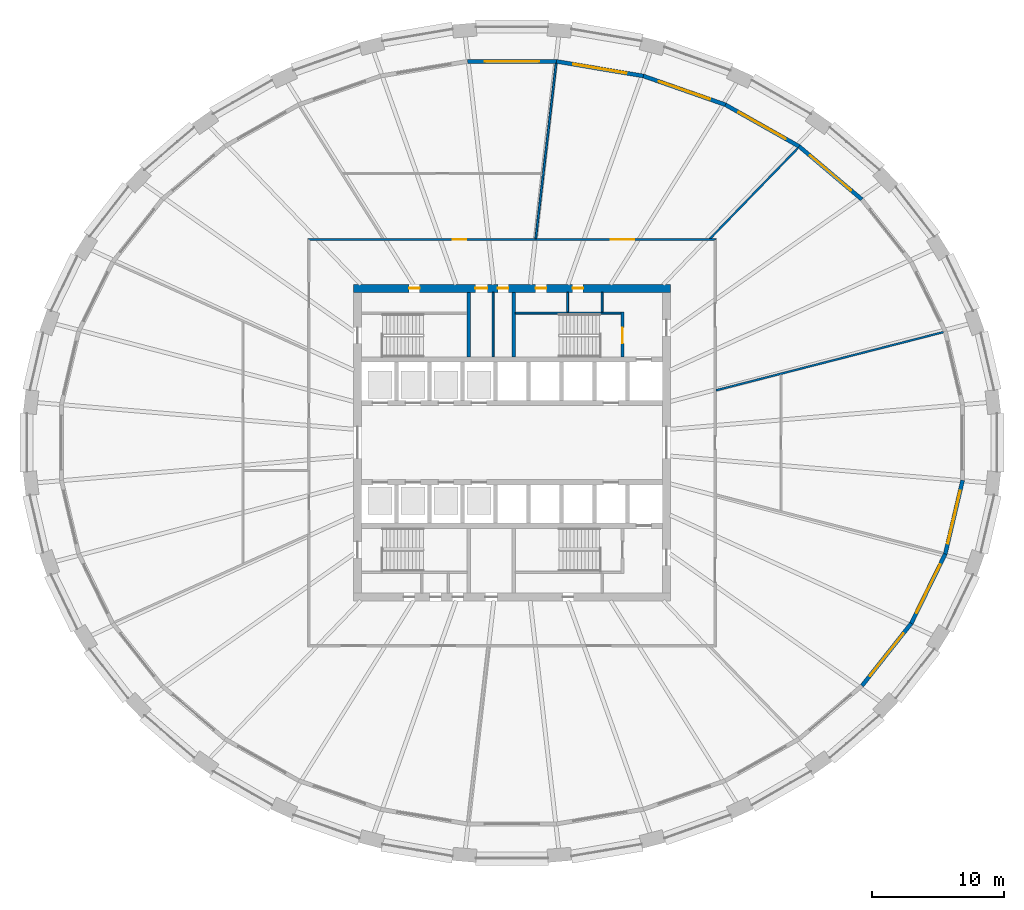
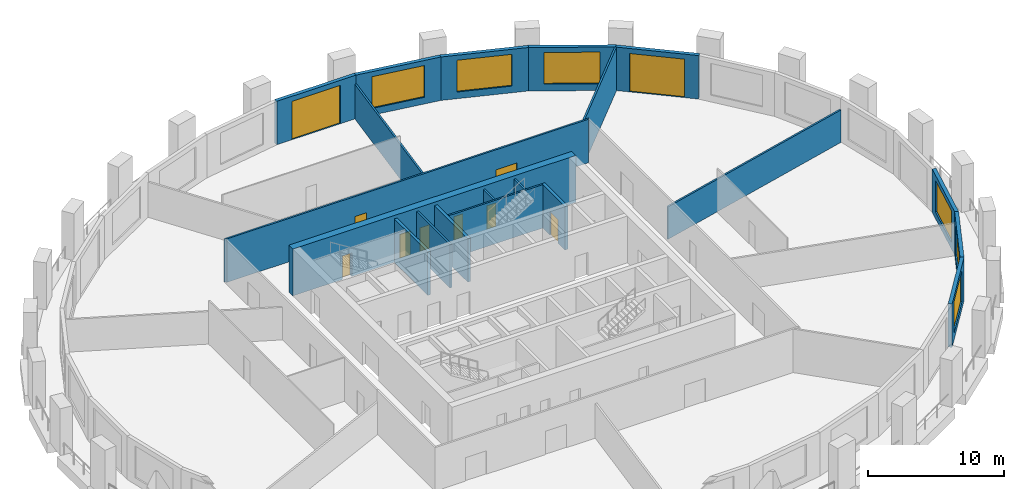
# One storey, part 6 of 10: 20 walls, 10 doors, 6 windows, 16 openings.
"""IFC4 building model written with IfcOpenShell, lengths in metres."""

from ifc_helpers import new_model, si_unit, direction, frame, frame_2d, origin, place, context, subcontext, project, spatial, polyline, rectangle, outline, extrude, material, layer, layer_set, type_object, element, fill, save


model = new_model("IFC4")

# Units and contexts
model_context = context("Model", 3, precision=1e-05, world=origin(), true_north=direction((0.0, 1.0)))
body_context = subcontext(model_context, "Body", "Model", "MODEL_VIEW")
ifc_project = project(units=[si_unit("LENGTHUNIT", "METRE"), si_unit("AREAUNIT", "SQUARE_METRE"), si_unit("VOLUMEUNIT", "CUBIC_METRE"), si_unit("PLANEANGLEUNIT", "RADIAN"), si_unit("MASSUNIT", "GRAM", prefix="KILO")], contexts=[model_context])

# Site, building, storey
site_placement = place(None, origin())
site = spatial("IfcSite", under=ifc_project, at=site_placement, CompositionType="ELEMENT")
building_placement = place(site_placement, origin())
building = spatial("IfcBuilding", under=site, at=building_placement, Name="Halqa Exchange Tower", CompositionType="ELEMENT")
storey_placement = place(building_placement, frame((0.0, 0.0, 69.699951171875)))
storey = spatial("IfcBuildingStorey", under=building, at=storey_placement, Name="L15", CompositionType="ELEMENT", Elevation=69.699951171875)

# Wall, openings, doors
ifc_material_1 = material(Name="Fire-rated gypsum board")
ifc_layer_1 = layer(ifc_material_1, 0.14990234375)
ifc_layer_set_1 = layer_set([ifc_layer_1], Name="Fire-rated gypsum board")
wall_type_1 = type_object("IfcWallType", Name="Fire partition EI 60 150", PredefinedType="PARTITIONING", material=ifc_layer_set_1)
wall_1_placement = place(storey_placement, frame((-15.47509765625, 15.39990234375, 0.0), z_axis=(0.0, 0.0, 1.0), x_axis=(1.0, 0.0, 0.0)))
wall_1 = element("IfcWall", 1, at=wall_1_placement, inside=storey, type_object=wall_type_1, Name="L15-PWL-010", PredefinedType="PARTITIONING", context=body_context, shape_type="SweptSolid", body=[
    extrude(outline(polyline([(0.150146484375, -0.074951171875), (2.065673828125, -0.074951171875), (3.9814453125, -0.074951171875), (5.89697265625, -0.074951171875), (7.8125, -0.074951171875), (9.728271484375, -0.074951171875), (11.643798828125, -0.074951171875), (13.5595703125, -0.074951171875), (15.47509765625, -0.074951171875), (17.390625, -0.074951171875), (19.306396484375, -0.074951171875), (21.221923828125, -0.074951171875), (23.1376953125, -0.074951171875), (25.05322265625, -0.074951171875), (26.96875, -0.074951171875), (28.884521484375, -0.074951171875), (30.800048828125, -0.074951171875), (30.949951171875, 0.074951171875), (29.015625, 0.074951171875), (27.081298828125, 0.074951171875), (25.14697265625, 0.074951171875), (23.21240234375, 0.074951171875), (21.278076171875, 0.074951171875), (19.34375, 0.074951171875), (17.409423828125, 0.074951171875), (15.47509765625, 0.074951171875), (13.540771484375, 0.074951171875), (11.6064453125, 0.074951171875), (9.672119140625, 0.074951171875), (7.73779296875, 0.074951171875), (5.80322265625, 0.074951171875), (3.868896484375, 0.074951171875), (1.9345703125, 0.074951171875), (0.000244140625, 0.074951171875), (0.150146484375, -0.074951171875)])), origin(), (0.0, 0.0, 1.0), 3.900146484375),
])
opening_1_placement = place(wall_1_placement, frame((22.945068359375, 0.0, 0.0)))
opening_1 = element("IfcOpeningElement", 2, at=opening_1_placement, cuts=wall_1, Name="Opening 04-04", PredefinedType="OPENING", context=body_context, shape_type="SweptSolid", body=[
    extrude(rectangle(XDim=1.800048828125, YDim=2.10009765625, at=frame_2d((0.89990234375, 1.050048828125))), frame((0.0, 0.0869140625, 0.0), z_axis=(0.0, -1.0, 0.0), x_axis=(1.0, 0.0, 0.0)), (0.0, 0.0, 1.0), 0.173828125),
])
opening_2_placement = place(wall_1_placement, frame((11.0, 0.0, 0.0)))
opening_2 = element("IfcOpeningElement", 3, at=opening_2_placement, cuts=wall_1, Name="Opening 04-05", PredefinedType="OPENING", context=body_context, shape_type="SweptSolid", body=[
    extrude(rectangle(XDim=1.0, YDim=2.10009765625, at=frame_2d((0.5, 1.050048828125))), frame((0.0, 0.0869140625, 0.0), z_axis=(0.0, -1.0, 0.0), x_axis=(1.0, 0.0, 0.0)), (0.0, 0.0, 1.0), 0.173828125),
])
ifc_material_2 = material(Name="Steel fire door leaf", Category="steel")
door_type_1 = type_object("IfcDoorType", Name="Fire door FD30S 1000 x 2100", OperationType="SINGLE_SWING_LEFT", PredefinedType="DOOR", material=ifc_material_2)
door_1_placement = place(opening_2_placement, origin())
door_1 = element("IfcDoor", 4, at=door_1_placement, inside=storey, type_object=door_type_1, Name="L15-IDR-005", OperationType="SINGLE_SWING_RIGHT", OverallHeight=2.10009765625, OverallWidth=1.0, PredefinedType="DOOR", context=body_context, shape_type="SweptSolid", body=[
    extrude(rectangle(XDim=1.0, YDim=2.10009765625, at=frame_2d((0.5, 1.050048828125))), frame((0.0, 0.02490234375, 0.0), z_axis=(0.0, -1.0, 0.0), x_axis=(1.0, 0.0, 0.0)), (0.0, 0.0, 1.0), 0.050048828125),
])
fill(opening_2, door_1)
door_type_2 = type_object("IfcDoorType", Name="Fire door FD30S double 1800 x 2100", OperationType="DOUBLE_DOOR_SINGLE_SWING", PredefinedType="DOOR", material=ifc_material_2)
door_2_placement = place(opening_1_placement, origin())
door_2 = element("IfcDoor", 5, at=door_2_placement, inside=storey, type_object=door_type_2, Name="L15-IDR-004", OperationType="DOUBLE_DOOR_SINGLE_SWING", OverallHeight=2.10009765625, OverallWidth=1.800048828125, PredefinedType="DOOR", context=body_context, shape_type="SweptSolid", body=[
    extrude(rectangle(XDim=1.800048828125, YDim=2.10009765625, at=frame_2d((0.89990234375, 1.050048828125))), frame((0.0, 0.02490234375, 0.0), z_axis=(0.0, -1.0, 0.0), x_axis=(1.0, 0.0, 0.0)), (0.0, 0.0, 1.0), 0.050048828125),
])
fill(opening_1, door_2)

# Walls
wall_2_placement = place(storey_placement, frame((1.7978515625, 15.466552734375, 0.0), z_axis=(0.0, 0.0, 1.0), x_axis=(0.115693975805, 0.993284905736, 0.0)))
element("IfcWall", 6, at=wall_2_placement, inside=storey, type_object=wall_type_1, Name="L15-PWL-013", PredefinedType="PARTITIONING", context=body_context, shape_type="SweptSolid", body=[
    extrude(outline(polyline([(13.37255859375, -0.074951171875), (13.37255859375, 0.0283203125), (13.3671875, 0.074951171875), (11.69482421875, 0.074951171875), (10.0224609375, 0.074951171875), (8.35009765625, 0.074951171875), (6.677734375, 0.074951171875), (5.00537109375, 0.074951171875), (4.908935546875, 0.063720703125), (4.90771484375, 0.074951171875), (3.271728515625, 0.074951171875), (1.635986328125, 0.074951171875), (0.0, 0.074951171875), (0.0, 0.072998046875), (0.017333984375, -0.074951171875), (1.925048828125, -0.074951171875), (3.8330078125, -0.074951171875), (5.740966796875, -0.074951171875), (7.64892578125, -0.074951171875), (9.556640625, -0.074951171875), (11.464599609375, -0.074951171875), (13.37255859375, -0.074951171875)])), origin(), (0.0, 0.0, 1.0), 3.110107421875),
])
wall_3_placement = place(storey_placement, frame((14.972412109375, 15.423095703125, 0.0), z_axis=(0.0, 0.0, 1.0), x_axis=(0.696498460967, 0.717558286044, 0.0)))
element("IfcWall", 7, at=wall_3_placement, inside=storey, type_object=wall_type_1, Name="L15-PWL-014", PredefinedType="PARTITIONING", context=body_context, shape_type="SweptSolid", body=[
    extrude(outline(polyline([(0.0, 0.074951171875), (0.0, 0.074462890625), (0.14501953125, -0.074951171875), (2.0380859375, -0.074951171875), (3.93115234375, -0.074951171875), (5.82421875, -0.074951171875), (7.71728515625, -0.074951171875), (9.6103515625, -0.074951171875), (9.6103515625, 0.074951171875), (7.688232421875, 0.074951171875), (5.76611328125, 0.074951171875), (3.84423828125, 0.074951171875), (1.922119140625, 0.074951171875), (0.0, 0.074951171875)])), origin(), (0.0, 0.0, 1.0), 3.900146484375),
])
wall_4_placement = place(storey_placement, frame((15.456787109375, 3.964599609375, 0.0), z_axis=(0.0, 0.0, 1.0), x_axis=(0.968758808885, 0.248004778598, 0.0)))
element("IfcWall", 8, at=wall_4_placement, inside=storey, type_object=wall_type_1, Name="L15-PWL-017", PredefinedType="PARTITIONING", context=body_context, shape_type="SweptSolid", body=[
    extrude(outline(polyline([(0.0, -0.074951171875), (1.67724609375, -0.074951171875), (3.3544921875, -0.074951171875), (5.03173828125, -0.074951171875), (5.03173828125, -0.074951171875), (5.0322265625, -0.074951171875), (6.8564453125, -0.074951171875), (8.680419921875, -0.074951171875), (10.504638671875, -0.074951171875), (12.328857421875, -0.074951171875), (14.153076171875, -0.074951171875), (15.97705078125, -0.074951171875), (17.80126953125, -0.074951171875), (17.80126953125, 0.01708984375), (17.789306640625, 0.074951171875), (15.81689453125, 0.074951171875), (13.844482421875, 0.074951171875), (11.8720703125, 0.074951171875), (9.89990234375, 0.074951171875), (7.927490234375, 0.074951171875), (5.955078125, 0.074951171875), (3.982666015625, 0.074951171875), (2.01025390625, 0.074951171875), (0.0380859375, 0.074951171875), (0.0, -0.073486328125), (0.0, -0.074951171875)])), origin(), (0.0, 0.0, 1.0), 2.91015625),
])
ifc_material_3 = material(Name="Gypsum board")
ifc_layer_2 = layer(ifc_material_3, 0.14990234375)
ifc_layer_set_2 = layer_set([ifc_layer_2], Name="Gypsum board")
wall_type_2 = type_object("IfcWallType", Name="Penthouse riser wall 150 gypsum", PredefinedType="PARTITIONING", material=ifc_layer_set_2)
wall_5_placement = place(storey_placement, frame((-1.425048828125, 6.5, 0.0), z_axis=(0.0, 0.0, 1.0), x_axis=(0.0, 1.0, 0.0)))
element("IfcWall", 9, at=wall_5_placement, inside=storey, type_object=wall_type_2, Name="Partition W1.425 N", PredefinedType="PARTITIONING", context=body_context, shape_type="SweptSolid", body=[
    extrude(rectangle(XDim=4.89990234375, YDim=0.14990234375, at=frame_2d((2.449951171875, 0.0))), origin(), (0.0, 0.0, 1.0), 3.900146484375),
])
for number, where, z_axis, x_axis, name in (
    (10, (4.22509765625, 9.89990234375, 0.0), (0.0, 0.0, 1.0), (0.0, 1.0, 0.0), "Partition E4.225 N"),
    (11, (6.824951171875, 9.89990234375, 0.0), (0.0, 0.0, 1.0), (0.0, 1.0, 0.0), "Firefighting lobby west wall N"),
):
    element("IfcWall", number, at=place(storey_placement, frame(where, z_axis=z_axis, x_axis=x_axis)), inside=storey, type_object=wall_type_2, Name=name, PredefinedType="PARTITIONING", context=body_context, shape_type="SweptSolid", body=[
        extrude(rectangle(XDim=1.5, YDim=0.14990234375, at=frame_2d((0.75, 0.0))), origin(), (0.0, 0.0, 1.0), 3.900146484375),
    ])

# Wall, openings, doors
ifc_material_4 = material(Name="Concrete C80/95", Category="concrete")
ifc_layer_3 = layer(ifc_material_4, 0.60009765625)
ifc_layer_set_3 = layer_set([ifc_layer_3], Name="Concrete C80/95")
wall_type_3 = type_object("IfcWallType", Name="RC core wall 600 C80/95", PredefinedType="SHEAR", material=ifc_layer_set_3)
wall_6_placement = place(storey_placement, frame((-12.0, 11.699951171875, 0.0), z_axis=(0.0, 0.0, 1.0), x_axis=(1.0, 0.0, 0.0)))
wall_6 = element("IfcWall", 12, at=wall_6_placement, inside=storey, type_object=wall_type_3, Name="Core wall north", PredefinedType="SHEAR", context=body_context, shape_type="SweptSolid", body=[
    extrude(rectangle(XDim=24.0, YDim=0.60009765625, at=frame_2d((12.0, 0.0))), origin(), (0.0, 0.0, 1.0), 4.199951171875),
])
opening_3_placement = place(wall_6_placement, frame((9.22509765625, 0.0, 0.0)))
opening_3 = element("IfcOpeningElement", 13, at=opening_3_placement, cuts=wall_6, Name="Opening T04-C21", PredefinedType="OPENING", context=body_context, shape_type="SweptSolid", body=[
    extrude(rectangle(XDim=0.89990234375, YDim=2.10009765625, at=frame_2d((0.449951171875, 1.050048828125))), frame((0.0, 0.31201171875, 0.0), z_axis=(0.0, -1.0, 0.0), x_axis=(1.0, 0.0, 0.0)), (0.0, 0.0, 1.0), 0.6240234375),
])
opening_4_placement = place(wall_6_placement, frame((10.925048828125, 0.0, 0.0)))
opening_4 = element("IfcOpeningElement", 14, at=opening_4_placement, cuts=wall_6, Name="Opening T04-C22", PredefinedType="OPENING", context=body_context, shape_type="SweptSolid", body=[
    extrude(rectangle(XDim=0.800048828125, YDim=2.10009765625, at=frame_2d((0.39990234375, 1.050048828125))), frame((0.0, 0.31201171875, 0.0), z_axis=(0.0, -1.0, 0.0), x_axis=(1.0, 0.0, 0.0)), (0.0, 0.0, 1.0), 0.6240234375),
])
opening_5_placement = place(wall_6_placement, frame((4.199951171875, 0.0, 0.0)))
opening_5 = element("IfcOpeningElement", 15, at=opening_5_placement, cuts=wall_6, Name="Opening T04-C23", PredefinedType="OPENING", context=body_context, shape_type="SweptSolid", body=[
    extrude(rectangle(XDim=0.800048828125, YDim=2.10009765625, at=frame_2d((0.39990234375, 1.050048828125))), frame((0.0, 0.31201171875, 0.0), z_axis=(0.0, -1.0, 0.0), x_axis=(1.0, 0.0, 0.0)), (0.0, 0.0, 1.0), 0.6240234375),
])
opening_6_placement = place(wall_6_placement, frame((13.800048828125, 0.0, 0.0)))
opening_6 = element("IfcOpeningElement", 16, at=opening_6_placement, cuts=wall_6, Name="Opening T04-C24", PredefinedType="OPENING", context=body_context, shape_type="SweptSolid", body=[
    extrude(rectangle(XDim=0.800048828125, YDim=2.10009765625, at=frame_2d((0.39990234375, 1.050048828125))), frame((0.0, 0.31201171875, 0.0), z_axis=(0.0, -1.0, 0.0), x_axis=(1.0, 0.0, 0.0)), (0.0, 0.0, 1.0), 0.6240234375),
])
opening_7_placement = place(wall_6_placement, frame((16.60009765625, 0.0, 0.0)))
opening_7 = element("IfcOpeningElement", 17, at=opening_7_placement, cuts=wall_6, Name="Opening T04-C25", PredefinedType="OPENING", context=body_context, shape_type="SweptSolid", body=[
    extrude(rectangle(XDim=0.800048828125, YDim=2.10009765625, at=frame_2d((0.39990234375, 1.050048828125))), frame((0.0, 0.31201171875, 0.0), z_axis=(0.0, -1.0, 0.0), x_axis=(1.0, 0.0, 0.0)), (0.0, 0.0, 1.0), 0.6240234375),
])
ifc_material_5 = material(Name="Timber fire door leaf", Category="wood")
door_type_3 = type_object("IfcDoorType", Name="Core room door FD30 900 x 2100", OperationType="SINGLE_SWING_LEFT", PredefinedType="DOOR", material=ifc_material_5)
door_3_placement = place(opening_3_placement, frame((0.89990234375, 0.0, 0.0), z_axis=(0.0, 0.0, 1.0), x_axis=(-1.0, 0.0, 0.0)))
door_3 = element("IfcDoor", 18, at=door_3_placement, inside=storey, type_object=door_type_3, Name="Core room door", OperationType="SINGLE_SWING_LEFT", OverallHeight=2.10009765625, OverallWidth=0.89990234375, PredefinedType="DOOR", context=body_context, shape_type="SweptSolid", body=[
    extrude(rectangle(XDim=0.89990234375, YDim=2.10009765625, at=frame_2d((0.449951171875, 1.050048828125))), frame((0.0, 0.02490234375, 0.0), z_axis=(0.0, -1.0, 0.0), x_axis=(1.0, 0.0, 0.0)), (0.0, 0.0, 1.0), 0.050048828125),
])
fill(opening_3, door_3)
door_type_4 = type_object("IfcDoorType", Name="Riser door FD60 800 x 2100", OperationType="SINGLE_SWING_LEFT", PredefinedType="DOOR", material=ifc_material_2)
door_4_placement = place(opening_4_placement, frame((0.800048828125, 0.0, 0.0), z_axis=(0.0, 0.0, 1.0), x_axis=(-1.0, 0.0, 0.0)))
door_4 = element("IfcDoor", 19, at=door_4_placement, inside=storey, type_object=door_type_4, Name="Core room door", OperationType="SINGLE_SWING_LEFT", OverallHeight=2.10009765625, OverallWidth=0.800048828125, PredefinedType="DOOR", context=body_context, shape_type="SweptSolid", body=[
    extrude(rectangle(XDim=0.800048828125, YDim=2.10009765625, at=frame_2d((0.39990234375, 1.050048828125))), frame((0.0, 0.02490234375, 0.0), z_axis=(0.0, -1.0, 0.0), x_axis=(1.0, 0.0, 0.0)), (0.0, 0.0, 1.0), 0.050048828125),
])
fill(opening_4, door_4)
door_5_placement = place(opening_5_placement, frame((0.800048828125, 0.0, 0.0), z_axis=(0.0, 0.0, 1.0), x_axis=(-1.0, 0.0, 0.0)))
door_5 = element("IfcDoor", 20, at=door_5_placement, inside=storey, type_object=door_type_4, Name="Core room door", OperationType="SINGLE_SWING_LEFT", OverallHeight=2.10009765625, OverallWidth=0.800048828125, PredefinedType="DOOR", context=body_context, shape_type="SweptSolid", body=[
    extrude(rectangle(XDim=0.800048828125, YDim=2.10009765625, at=frame_2d((0.39990234375, 1.050048828125))), frame((0.0, 0.02490234375, 0.0), z_axis=(0.0, -1.0, 0.0), x_axis=(1.0, 0.0, 0.0)), (0.0, 0.0, 1.0), 0.050048828125),
])
fill(opening_5, door_5)
door_6_placement = place(opening_6_placement, frame((0.800048828125, 0.0, 0.0), z_axis=(0.0, 0.0, 1.0), x_axis=(-1.0, 0.0, 0.0)))
door_6 = element("IfcDoor", 21, at=door_6_placement, inside=storey, type_object=door_type_4, Name="Core room door", OperationType="SINGLE_SWING_RIGHT", OverallHeight=2.10009765625, OverallWidth=0.800048828125, PredefinedType="DOOR", context=body_context, shape_type="SweptSolid", body=[
    extrude(rectangle(XDim=0.800048828125, YDim=2.10009765625, at=frame_2d((0.39990234375, 1.050048828125))), frame((0.0, 0.02490234375, 0.0), z_axis=(0.0, -1.0, 0.0), x_axis=(1.0, 0.0, 0.0)), (0.0, 0.0, 1.0), 0.050048828125),
])
fill(opening_6, door_6)
door_7_placement = place(opening_7_placement, frame((0.800048828125, 0.0, 0.0), z_axis=(0.0, 0.0, 1.0), x_axis=(-1.0, 0.0, 0.0)))
door_7 = element("IfcDoor", 22, at=door_7_placement, inside=storey, type_object=door_type_4, Name="Core room door", OperationType="SINGLE_SWING_LEFT", OverallHeight=2.10009765625, OverallWidth=0.800048828125, PredefinedType="DOOR", context=body_context, shape_type="SweptSolid", body=[
    extrude(rectangle(XDim=0.800048828125, YDim=2.10009765625, at=frame_2d((0.39990234375, 1.050048828125))), frame((0.0, 0.02490234375, 0.0), z_axis=(0.0, -1.0, 0.0), x_axis=(1.0, 0.0, 0.0)), (0.0, 0.0, 1.0), 0.050048828125),
])
fill(opening_7, door_7)

# Walls
ifc_material_6 = material(Name="Concrete C30/37", Category="concrete")
ifc_layer_4 = layer(ifc_material_6, 0.14990234375)
ifc_layer_set_4 = layer_set([ifc_layer_4], Name="Concrete C30/37")
wall_type_4 = type_object("IfcWallType", Name="RC stair wall 150 C30/37", PredefinedType="SHEAR", material=ifc_layer_set_4)
wall_7_placement = place(storey_placement, frame((0.25, 9.824951171875, 0.0), z_axis=(0.0, 0.0, 1.0), x_axis=(1.0, 0.0, 0.0)))
element("IfcWall", 23, at=wall_7_placement, inside=storey, type_object=wall_type_4, Name="Stair ST2 north wall N", PredefinedType="SHEAR", context=body_context, shape_type="SweptSolid", body=[
    extrude(rectangle(XDim=8.0, YDim=0.14990234375, at=frame_2d((4.0, 0.0))), origin(), (0.0, 0.0, 1.0), 3.900146484375),
])
ifc_layer_5 = layer(ifc_material_6, 0.25)
ifc_layer_set_5 = layer_set([ifc_layer_5], Name="Concrete C30/37")
wall_type_5 = type_object("IfcWallType", Name="RC stair wall 250 C30/37", PredefinedType="SHEAR", material=ifc_layer_set_5)
for number, where, z_axis, x_axis, name in (
    (24, (-3.27490234375, 6.5, 0.0), (0.0, 0.0, 1.0), (0.0, 1.0, 0.0), "Stair ST1 east wall N"),
    (25, (0.125, 6.5, 0.0), (0.0, 0.0, 1.0), (0.0, 1.0, 0.0), "Stair ST2 west wall N"),
):
    element("IfcWall", number, at=place(storey_placement, frame(where, z_axis=z_axis, x_axis=x_axis)), inside=storey, type_object=wall_type_5, Name=name, PredefinedType="SHEAR", context=body_context, shape_type="SweptSolid", body=[
        extrude(rectangle(XDim=4.89990234375, YDim=0.25, at=frame_2d((2.449951171875, 0.0))), origin(), (0.0, 0.0, 1.0), 3.900146484375),
    ])

# Wall, opening, door
wall_8_placement = place(storey_placement, frame((8.375, 6.5, 0.0), z_axis=(0.0, 0.0, 1.0), x_axis=(0.0, 1.0, 0.0)))
wall_8 = element("IfcWall", 26, at=wall_8_placement, inside=storey, type_object=wall_type_5, Name="Stair ST2 east wall N", PredefinedType="SHEAR", context=body_context, shape_type="SweptSolid", body=[
    extrude(rectangle(XDim=3.39990234375, YDim=0.25, at=frame_2d((1.699951171875, 0.0))), origin(), (0.0, 0.0, 1.0), 3.900146484375),
])
opening_8_placement = place(wall_8_placement, frame((1.02490234375, 0.0, 0.0)))
opening_8 = element("IfcOpeningElement", 27, at=opening_8_placement, cuts=wall_8, Name="Opening T04-C16", PredefinedType="OPENING", context=body_context, shape_type="SweptSolid", body=[
    extrude(rectangle(XDim=1.199951171875, YDim=2.10009765625, at=frame_2d((0.60009765625, 1.050048828125))), frame((0.0, 0.136962890625, 0.0), z_axis=(0.0, -1.0, 0.0), x_axis=(1.0, 0.0, 0.0)), (0.0, 0.0, 1.0), 0.27392578125),
])
door_type_5 = type_object("IfcDoorType", Name="Stair door FD90 1200 x 2100", OperationType="SINGLE_SWING_LEFT", PredefinedType="DOOR", material=ifc_material_2)
door_8_placement = place(opening_8_placement, origin())
door_8 = element("IfcDoor", 28, at=door_8_placement, inside=storey, type_object=door_type_5, Name="Stair door ST2", OperationType="SINGLE_SWING_RIGHT", OverallHeight=2.10009765625, OverallWidth=1.199951171875, PredefinedType="DOOR", context=body_context, shape_type="SweptSolid", body=[
    extrude(rectangle(XDim=1.199951171875, YDim=2.10009765625, at=frame_2d((0.60009765625, 1.050048828125))), frame((0.0, 0.02490234375, 0.0), z_axis=(0.0, -1.0, 0.0), x_axis=(1.0, 0.0, 0.0)), (0.0, 0.0, 1.0), 0.050048828125),
])
fill(opening_8, door_8)

ifc_material_7 = material(Name="Limestone cladding", Category="masonry")
ifc_layer_6 = layer(ifc_material_7, 0.0400390625)
ifc_material_8 = material(Name="Ventilated cavity")
ifc_layer_7 = layer(ifc_material_8, 0.030029296875, ventilated=True)
ifc_material_9 = material(Name="Mineral wool insulation")
ifc_layer_8 = layer(ifc_material_9, 0.10009765625)
ifc_layer_9 = layer(ifc_material_6, 0.10009765625)
ifc_material_10 = material(Name="Internal plaster")
ifc_layer_10 = layer(ifc_material_10, 0.030029296875)
ifc_layer_set_6 = layer_set([ifc_layer_6, ifc_layer_7, ifc_layer_8, ifc_layer_9, ifc_layer_10], Name="Stone-faced insulated wall 300")
wall_type_6 = type_object("IfcWallType", Name="Stone-faced insulated wall 300", PredefinedType="STANDARD", material=ifc_layer_set_6)
wall_9_placement = place(storey_placement, frame((26.52490234375, 18.43359375, 0.0), z_axis=(0.0, 0.0, 1.0), x_axis=(-0.763655167989, 0.645624336905, 0.0)))
wall_9 = element("IfcWall", 29, at=wall_9_placement, inside=storey, type_object=wall_type_6, Name="Glass-line wall 4", PredefinedType="STANDARD", context=body_context, shape_type="SweptSolid", body=[
    extrude(outline(polyline([(-0.01513671875, -0.14990234375), (6.246337890625, -0.14990234375), (6.218017578125, 0.14990234375), (0.01513671875, 0.14990234375), (-0.01513671875, -0.14990234375)])), origin(), (0.0, 0.0, 1.0), 3.900146484375),
])
opening_9_placement = place(wall_9_placement, frame((1.066162109375, 0.0, 0.0)))
opening_9 = element("IfcOpeningElement", 30, at=opening_9_placement, cuts=wall_9, Name="Opening LG-F1-01", PredefinedType="OPENING", context=body_context, shape_type="SweptSolid", body=[
    extrude(rectangle(XDim=4.10009765625, YDim=3.449951171875, at=frame_2d((2.050048828125, 1.72509765625))), frame((0.0, 0.162109375, 0.0), z_axis=(0.0, -1.0, 0.0), x_axis=(1.0, 0.0, 0.0)), (0.0, 0.0, 1.0), 0.323974609375),
])
ifc_material_11 = material(Name="Clear low-emissivity glass in aluminium frame", Category="aluminium")
door_type_6 = type_object("IfcDoorType", Name="Glazed sliding loggia door 4100 x 3450", OperationType="DOUBLE_DOOR_SLIDING", PredefinedType="DOOR", material=ifc_material_11)
door_9_placement = place(opening_9_placement, origin())
door_9 = element("IfcDoor", 31, at=door_9_placement, inside=storey, type_object=door_type_6, Name="Loggia door 1", OperationType="DOUBLE_DOOR_SLIDING", OverallHeight=3.449951171875, OverallWidth=4.10009765625, PredefinedType="DOOR", context=body_context, shape_type="SweptSolid", body=[
    extrude(rectangle(XDim=4.10009765625, YDim=3.449951171875, at=frame_2d((2.050048828125, 1.72509765625))), frame((0.0, 0.02490234375, 0.0), z_axis=(0.0, -1.0, 0.0), x_axis=(1.0, 0.0, 0.0)), (0.0, 0.0, 1.0), 0.050048828125),
])
fill(opening_9, door_9)

# Wall, opening, window
wall_10_placement = place(storey_placement, frame((21.765625, 22.457275390625, 0.0), z_axis=(0.0, 0.0, 1.0), x_axis=(-0.870673928577, 0.491860661262, 0.0)))
wall_10 = element("IfcWall", 32, at=wall_10_placement, inside=storey, type_object=wall_type_6, Name="Glass-line wall 5", PredefinedType="STANDARD", context=body_context, shape_type="SweptSolid", body=[
    extrude(outline(polyline([(-0.01416015625, -0.14990234375), (6.438232421875, -0.14990234375), (6.411376953125, 0.14990234375), (0.01416015625, 0.14990234375), (-0.01416015625, -0.14990234375)])), origin(), (0.0, 0.0, 1.0), 3.900146484375),
])
opening_10_placement = place(wall_10_placement, frame((1.16259765625, 0.0, 0.60009765625)))
opening_10 = element("IfcOpeningElement", 33, at=opening_10_placement, cuts=wall_10, Name="Opening W-F1-05", PredefinedType="OPENING", context=body_context, shape_type="SweptSolid", body=[
    extrude(rectangle(XDim=4.10009765625, YDim=2.85009765625, at=frame_2d((2.050048828125, 1.425048828125))), frame((0.0, 0.162109375, 0.0), z_axis=(0.0, -1.0, 0.0), x_axis=(1.0, 0.0, 0.0)), (0.0, 0.0, 1.0), 0.323974609375),
])
window_type = type_object("IfcWindowType", Name="Fixed clear glazed window 4100 x 2850", PartitioningType="TRIPLE_PANEL_VERTICAL", PredefinedType="WINDOW", material=ifc_material_11)
window_1_placement = place(opening_10_placement, origin())
window_1 = element("IfcWindow", 34, at=window_1_placement, inside=storey, type_object=window_type, Name="Window 1", OverallHeight=2.85009765625, OverallWidth=4.10009765625, PartitioningType="TRIPLE_PANEL_VERTICAL", PredefinedType="WINDOW", context=body_context, shape_type="SweptSolid", body=[
    extrude(rectangle(XDim=4.10009765625, YDim=2.85009765625, at=frame_2d((2.050048828125, 1.425048828125))), frame((0.0, 0.030029296875, 0.0), z_axis=(0.0, -1.0, 0.0), x_axis=(1.0, 0.0, 0.0)), (0.0, 0.0, 1.0), 0.06005859375),
])
fill(opening_10, window_1)

wall_11_placement = place(storey_placement, frame((16.171630859375, 25.617431640625, 0.0), z_axis=(0.0, 0.0, 1.0), x_axis=(-0.94380689486, 0.330497420889, 0.0)))
wall_11 = element("IfcWall", 35, at=wall_11_placement, inside=storey, type_object=wall_type_6, Name="Glass-line wall 6", PredefinedType="STANDARD", context=body_context, shape_type="SweptSolid", body=[
    extrude(outline(polyline([(-0.013427734375, -0.14990234375), (6.5966796875, -0.14990234375), (6.5712890625, 0.14990234375), (0.013427734375, 0.14990234375), (-0.013427734375, -0.14990234375)])), origin(), (0.0, 0.0, 1.0), 3.900146484375),
])
opening_11_placement = place(wall_11_placement, frame((1.241943359375, 0.0, 0.60009765625)))
opening_11 = element("IfcOpeningElement", 36, at=opening_11_placement, cuts=wall_11, Name="Opening W-F1-06", PredefinedType="OPENING", context=body_context, shape_type="SweptSolid", body=[
    extrude(rectangle(XDim=4.10009765625, YDim=2.85009765625, at=frame_2d((2.050048828125, 1.425048828125))), frame((0.0, 0.162109375, 0.0), z_axis=(0.0, -1.0, 0.0), x_axis=(1.0, 0.0, 0.0)), (0.0, 0.0, 1.0), 0.323974609375),
])
window_2_placement = place(opening_11_placement, origin())
window_2 = element("IfcWindow", 37, at=window_2_placement, inside=storey, type_object=window_type, Name="Window 1", OverallHeight=2.85009765625, OverallWidth=4.10009765625, PartitioningType="TRIPLE_PANEL_VERTICAL", PredefinedType="WINDOW", context=body_context, shape_type="SweptSolid", body=[
    extrude(rectangle(XDim=4.10009765625, YDim=2.85009765625, at=frame_2d((2.050048828125, 1.425048828125))), frame((0.0, 0.030029296875, 0.0), z_axis=(0.0, -1.0, 0.0), x_axis=(1.0, 0.0, 0.0)), (0.0, 0.0, 1.0), 0.06005859375),
])
fill(opening_11, window_2)

wall_12_placement = place(storey_placement, frame((9.95751953125, 27.79345703125, 0.0), z_axis=(0.0, 0.0, 1.0), x_axis=(-0.986153133093, 0.165837263877, 0.0)))
wall_12 = element("IfcWall", 38, at=wall_12_placement, inside=storey, type_object=wall_type_6, Name="Glass-line wall 7", PredefinedType="STANDARD", context=body_context, shape_type="SweptSolid", body=[
    extrude(outline(polyline([(-0.0126953125, -0.14990234375), (6.700439453125, -0.14990234375), (6.675537109375, 0.14990234375), (0.0126953125, 0.14990234375), (-0.0126953125, -0.14990234375)])), origin(), (0.0, 0.0, 1.0), 3.900146484375),
])
opening_12_placement = place(wall_12_placement, frame((1.294189453125, 0.0, 0.60009765625)))
opening_12 = element("IfcOpeningElement", 39, at=opening_12_placement, cuts=wall_12, Name="Opening W-F1-07", PredefinedType="OPENING", context=body_context, shape_type="SweptSolid", body=[
    extrude(rectangle(XDim=4.10009765625, YDim=2.85009765625, at=frame_2d((2.050048828125, 1.425048828125))), frame((0.0, 0.162109375, 0.0), z_axis=(0.0, -1.0, 0.0), x_axis=(1.0, 0.0, 0.0)), (0.0, 0.0, 1.0), 0.323974609375),
])
window_3_placement = place(opening_12_placement, origin())
window_3 = element("IfcWindow", 40, at=window_3_placement, inside=storey, type_object=window_type, Name="Window 1", OverallHeight=2.85009765625, OverallWidth=4.10009765625, PartitioningType="TRIPLE_PANEL_VERTICAL", PredefinedType="WINDOW", context=body_context, shape_type="SweptSolid", body=[
    extrude(rectangle(XDim=4.10009765625, YDim=2.85009765625, at=frame_2d((2.050048828125, 1.425048828125))), frame((0.0, 0.030029296875, 0.0), z_axis=(0.0, -1.0, 0.0), x_axis=(1.0, 0.0, 0.0)), (0.0, 0.0, 1.0), 0.06005859375),
])
fill(opening_12, window_3)

# Wall, opening, door
wall_13_placement = place(storey_placement, frame((3.362060546875, 28.902587890625, 0.0), z_axis=(0.0, 0.0, 1.0), x_axis=(-1.0, 0.0, 0.0)))
wall_13 = element("IfcWall", 41, at=wall_13_placement, inside=storey, type_object=wall_type_6, Name="Glass-line wall 8", PredefinedType="STANDARD", context=body_context, shape_type="SweptSolid", body=[
    extrude(outline(polyline([(-0.012451171875, -0.14990234375), (6.736572265625, -0.14990234375), (6.711669921875, 0.14990234375), (0.012451171875, 0.14990234375), (-0.012451171875, -0.14990234375)])), origin(), (0.0, 0.0, 1.0), 3.900146484375),
])
opening_13_placement = place(wall_13_placement, frame((1.31201171875, 0.0, 0.0)))
opening_13 = element("IfcOpeningElement", 42, at=opening_13_placement, cuts=wall_13, Name="Opening LG-F1-02", PredefinedType="OPENING", context=body_context, shape_type="SweptSolid", body=[
    extrude(rectangle(XDim=4.10009765625, YDim=3.449951171875, at=frame_2d((2.050048828125, 1.72509765625))), frame((0.0, 0.162109375, 0.0), z_axis=(0.0, -1.0, 0.0), x_axis=(1.0, 0.0, 0.0)), (0.0, 0.0, 1.0), 0.323974609375),
])
door_10_placement = place(opening_13_placement, origin())
door_10 = element("IfcDoor", 43, at=door_10_placement, inside=storey, type_object=door_type_6, Name="Loggia door 2", OperationType="DOUBLE_DOOR_SLIDING", OverallHeight=3.449951171875, OverallWidth=4.10009765625, PredefinedType="DOOR", context=body_context, shape_type="SweptSolid", body=[
    extrude(rectangle(XDim=4.10009765625, YDim=3.449951171875, at=frame_2d((2.050048828125, 1.72509765625))), frame((0.0, 0.02490234375, 0.0), z_axis=(0.0, -1.0, 0.0), x_axis=(1.0, 0.0, 0.0)), (0.0, 0.0, 1.0), 0.050048828125),
])
fill(opening_13, door_10)

# Wall, opening, window
wall_14_placement = place(storey_placement, frame((26.52490234375, -18.43359375, 0.0), z_axis=(0.0, 0.0, 1.0), x_axis=(0.620065339223, 0.784550173727, 0.0)))
wall_14 = element("IfcWall", 44, at=wall_14_placement, inside=storey, type_object=wall_type_6, Name="Glass-line wall 29", PredefinedType="STANDARD", context=body_context, shape_type="SweptSolid", body=[
    extrude(outline(polyline([(-0.01513671875, -0.14990234375), (6.0498046875, -0.14990234375), (6.017578125, 0.14990234375), (0.01513671875, 0.14990234375), (-0.01513671875, -0.14990234375)])), origin(), (0.0, 0.0, 1.0), 3.900146484375),
])
opening_14_placement = place(wall_14_placement, frame((0.966796875, 0.0, 0.60009765625)))
opening_14 = element("IfcOpeningElement", 45, at=opening_14_placement, cuts=wall_14, Name="Opening W-F1-29", PredefinedType="OPENING", context=body_context, shape_type="SweptSolid", body=[
    extrude(rectangle(XDim=4.10009765625, YDim=2.85009765625, at=frame_2d((2.050048828125, 1.425048828125))), frame((0.0, 0.162109375, 0.0), z_axis=(0.0, -1.0, 0.0), x_axis=(1.0, 0.0, 0.0)), (0.0, 0.0, 1.0), 0.323974609375),
])
window_4_placement = place(opening_14_placement, origin())
window_4 = element("IfcWindow", 46, at=window_4_placement, inside=storey, type_object=window_type, Name="Window 1", OverallHeight=2.85009765625, OverallWidth=4.10009765625, PartitioningType="TRIPLE_PANEL_VERTICAL", PredefinedType="WINDOW", context=body_context, shape_type="SweptSolid", body=[
    extrude(rectangle(XDim=4.10009765625, YDim=2.85009765625, at=frame_2d((2.050048828125, 1.425048828125))), frame((0.0, 0.030029296875, 0.0), z_axis=(0.0, -1.0, 0.0), x_axis=(1.0, 0.0, 0.0)), (0.0, 0.0, 1.0), 0.06005859375),
])
fill(opening_14, window_4)

wall_15_placement = place(storey_placement, frame((30.26611328125, -13.699951171875, 0.0), z_axis=(0.0, 0.0, 1.0), x_axis=(0.439949735177, 0.898022399786, 0.0)))
wall_15 = element("IfcWall", 47, at=wall_15_placement, inside=storey, type_object=wall_type_6, Name="Glass-line wall 30", PredefinedType="STANDARD", context=body_context, shape_type="SweptSolid", body=[
    extrude(outline(polyline([(-0.01611328125, -0.14990234375), (5.876953125, -0.14990234375), (5.84326171875, 0.14990234375), (0.01611328125, 0.14990234375), (-0.01611328125, -0.14990234375)])), origin(), (0.0, 0.0, 1.0), 3.900146484375),
])
opening_15_placement = place(wall_15_placement, frame((0.8798828125, 0.0, 0.60009765625)))
opening_15 = element("IfcOpeningElement", 48, at=opening_15_placement, cuts=wall_15, Name="Opening W-F1-30", PredefinedType="OPENING", context=body_context, shape_type="SweptSolid", body=[
    extrude(rectangle(XDim=4.10009765625, YDim=2.85009765625, at=frame_2d((2.050048828125, 1.425048828125))), frame((0.0, 0.162109375, 0.0), z_axis=(0.0, -1.0, 0.0), x_axis=(1.0, 0.0, 0.0)), (0.0, 0.0, 1.0), 0.323974609375),
])
window_5_placement = place(opening_15_placement, origin())
window_5 = element("IfcWindow", 49, at=window_5_placement, inside=storey, type_object=window_type, Name="Window 1", OverallHeight=2.85009765625, OverallWidth=4.10009765625, PartitioningType="TRIPLE_PANEL_VERTICAL", PredefinedType="WINDOW", context=body_context, shape_type="SweptSolid", body=[
    extrude(rectangle(XDim=4.10009765625, YDim=2.85009765625, at=frame_2d((2.050048828125, 1.425048828125))), frame((0.0, 0.030029296875, 0.0), z_axis=(0.0, -1.0, 0.0), x_axis=(1.0, 0.0, 0.0)), (0.0, 0.0, 1.0), 0.06005859375),
])
fill(opening_15, window_5)

wall_16_placement = place(storey_placement, frame((32.84423828125, -8.4375, 0.0), z_axis=(0.0, 0.0, 1.0), x_axis=(0.22905355604, 0.973413821797, 0.0)))
wall_16 = element("IfcWall", 50, at=wall_16_placement, inside=storey, type_object=wall_type_6, Name="Glass-line wall 31", PredefinedType="STANDARD", context=body_context, shape_type="SweptSolid", body=[
    extrude(outline(polyline([(-0.016845703125, -0.14990234375), (5.758056640625, -0.14990234375), (5.723388671875, 0.14990234375), (0.016845703125, 0.14990234375), (-0.016845703125, -0.14990234375)])), origin(), (0.0, 0.0, 1.0), 3.900146484375),
])
opening_16_placement = place(wall_16_placement, frame((0.8203125, 0.0, 0.60009765625)))
opening_16 = element("IfcOpeningElement", 51, at=opening_16_placement, cuts=wall_16, Name="Opening W-F1-31", PredefinedType="OPENING", context=body_context, shape_type="SweptSolid", body=[
    extrude(rectangle(XDim=4.10009765625, YDim=2.85009765625, at=frame_2d((2.050048828125, 1.425048828125))), frame((0.0, 0.162109375, 0.0), z_axis=(0.0, -1.0, 0.0), x_axis=(1.0, 0.0, 0.0)), (0.0, 0.0, 1.0), 0.323974609375),
])
window_6_placement = place(opening_16_placement, origin())
window_6 = element("IfcWindow", 52, at=window_6_placement, inside=storey, type_object=window_type, Name="Window 1", OverallHeight=2.85009765625, OverallWidth=4.10009765625, PartitioningType="TRIPLE_PANEL_VERTICAL", PredefinedType="WINDOW", context=body_context, shape_type="SweptSolid", body=[
    extrude(rectangle(XDim=4.10009765625, YDim=2.85009765625, at=frame_2d((2.050048828125, 1.425048828125))), frame((0.0, 0.030029296875, 0.0), z_axis=(0.0, -1.0, 0.0), x_axis=(1.0, 0.0, 0.0)), (0.0, 0.0, 1.0), 0.06005859375),
])
fill(opening_16, window_6)

save(model, "model.ifc")
